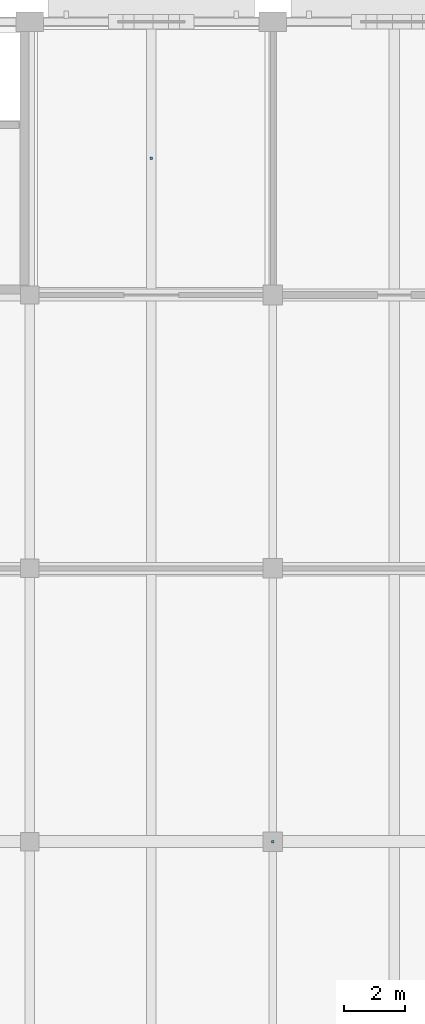
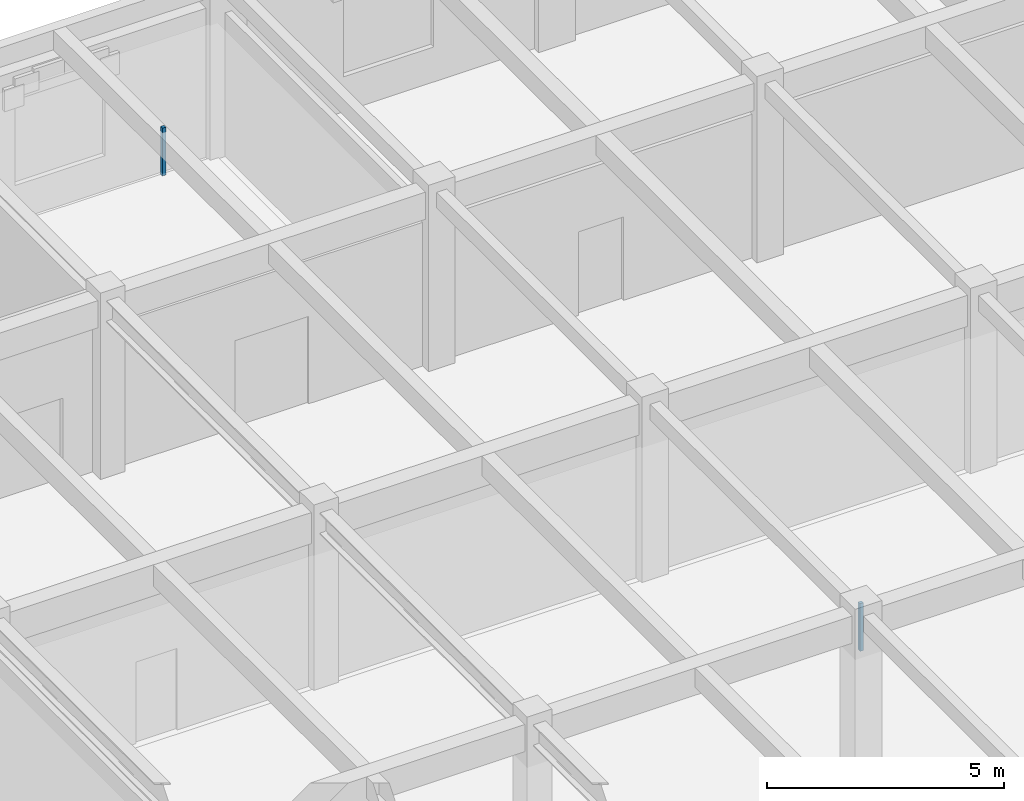
# One storey, part 128 of 144: 2 discrete accessories.
"""IFC4 building model written with IfcOpenShell, lengths in metres."""

from ifc_helpers import new_model, si_unit, direction, frame, origin, origin_2d, place, context, subcontext, project, spatial, rectangle, extrude, material, layer, layer_set, type_object, element, save


model = new_model("IFC4")

# Units and contexts
model_context = context("Model", 3, precision=1e-05, world=origin(), true_north=direction((0.0, 1.0)))
body_context = subcontext(model_context, "Body", "Model", "MODEL_VIEW")
ifc_project = project(units=[si_unit("LENGTHUNIT", "METRE"), si_unit("AREAUNIT", "SQUARE_METRE"), si_unit("VOLUMEUNIT", "CUBIC_METRE"), si_unit("PLANEANGLEUNIT", "RADIAN"), si_unit("MASSUNIT", "GRAM", prefix="KILO")], contexts=[model_context])

# Site, building, storey
site_placement = place(None, origin())
site = spatial("IfcSite", under=ifc_project, at=site_placement, CompositionType="ELEMENT")
building_placement = place(site_placement, origin())
building = spatial("IfcBuilding", under=site, at=building_placement, Name="Varnabhumi Central Station", CompositionType="ELEMENT")
storey_placement = place(building_placement, frame((0.0, 0.0, 4.800048828125)))
storey = spatial("IfcBuildingStorey", under=building, at=storey_placement, Name="L01", CompositionType="ELEMENT", Elevation=4.800048828125)

# Discrete accessories
ifc_material = material(Name="Structural steel E350", Category="steel")
ifc_layer = layer(ifc_material, 0.159912109375, Name="Structural steel E350", Category="steel")
ifc_layer_set = layer_set([ifc_layer], Name="Structural steel E350")
discrete_accessory_type = type_object("IfcDiscreteAccessoryType", Name="ACC-SHADE-BRKT", PredefinedType="BRACKET", material=ifc_layer_set)
for number, where, z_axis, x_axis, name in (
    (1, (144.0, 89.0, 3.43994140625), (0.0, 0.0, 1.0), (1.0, 0.0, 0.0), "General Transit Dormitory Ceiling Hanger"),
    (2, (140.0, 111.5, 3.43994140625), (0.0, 0.0, 1.0), (1.0, 0.0, 0.0), "Infant Nursing and Family Care Suite Ceiling Hanger"),
):
    element("IfcDiscreteAccessory", number, at=place(storey_placement, frame(where, z_axis=z_axis, x_axis=x_axis)), inside=storey, type_object=discrete_accessory_type, Name=name, PredefinedType="BRACKET", context=body_context, shape_type="SweptSolid", body=[
        extrude(rectangle(XDim=0.080078125, YDim=0.080078125, at=origin_2d()), origin(), (0.0, 0.0, 1.0), 1.22998046875),
    ])

save(model, "model.ifc")
